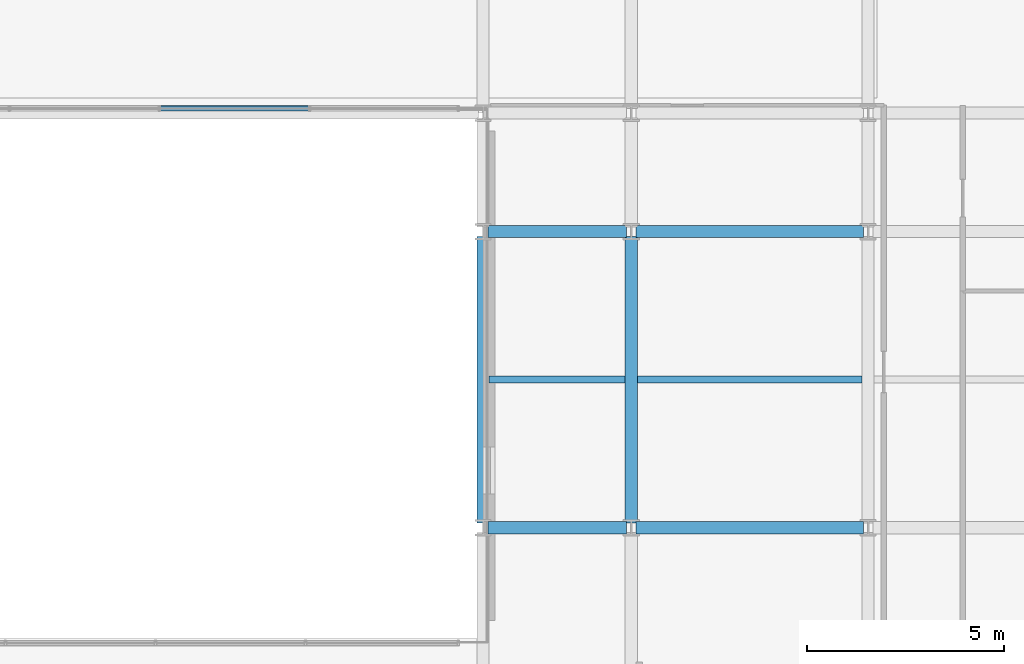
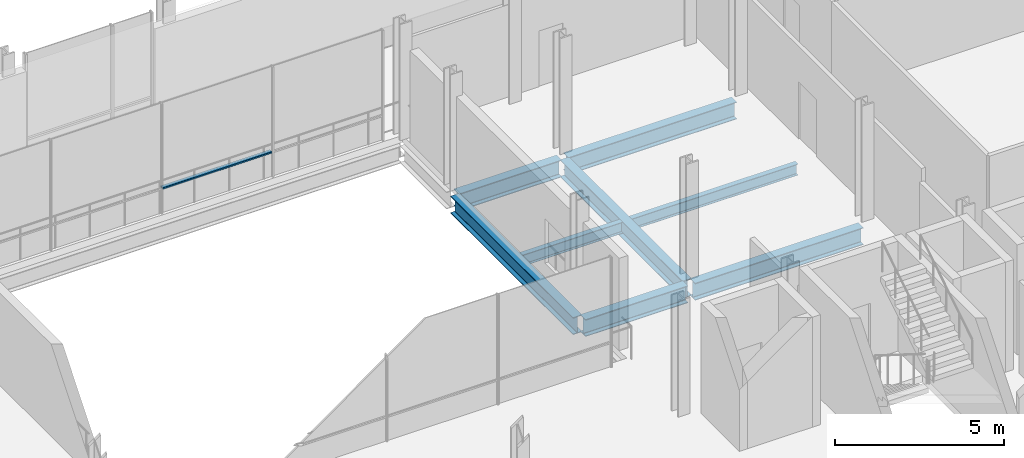
# One storey, part 16 of 32: 8 beams, 1 member, 1 element without a shape of its own.
"""IFC4 building model written with IfcOpenShell, lengths in metres."""

from ifc_helpers import new_model, si_unit, direction, frame, origin, origin_2d, place, context, subcontext, project, spatial, hollow_rectangle, i_section, extrude, material, layer, layer_set, material_profile, profile_set, type_object, element, aggregate, save


model = new_model("IFC4")

# Units and contexts
model_context = context("Model", 3, precision=1e-05, world=origin(), true_north=direction((0.0, 1.0)))
body_context = subcontext(model_context, "Body", "Model", "MODEL_VIEW")
ifc_project = project(units=[si_unit("LENGTHUNIT", "METRE"), si_unit("AREAUNIT", "SQUARE_METRE"), si_unit("VOLUMEUNIT", "CUBIC_METRE"), si_unit("PLANEANGLEUNIT", "RADIAN"), si_unit("MASSUNIT", "GRAM", prefix="KILO")], contexts=[model_context])

# Site, building, storey
site_placement = place(None, origin())
site = spatial("IfcSite", under=ifc_project, at=site_placement, CompositionType="ELEMENT")
building_placement = place(site_placement, origin())
building = spatial("IfcBuilding", under=site, at=building_placement, Name="Brevholm Reach", CompositionType="ELEMENT")
storey_placement = place(building_placement, frame((0.0, 0.0, 134.5)))
storey = spatial("IfcBuildingStorey", under=building, at=storey_placement, Name="L40", CompositionType="ELEMENT", Elevation=134.5)

# Beams
ifc_material_1 = material(Name="Structural Steel S355J2", Category="steel")
ifc_material_profile_1 = material_profile(ifc_material_1, i_section(OverallWidth=0.177978515625, OverallDepth=0.406494140625, WebThickness=0.0078125, FlangeThickness=0.0126953125, FilletRadius=0.01025390625, at=origin_2d()), Name="UKB 406x178x60")
ifc_profile_set_1 = profile_set([ifc_material_profile_1], Name="Structural Steel S355J2")
beam_type_1 = type_object("IfcBeamType", Name="BM-B406", PredefinedType="BEAM", material=ifc_profile_set_1)
beam_1_placement = place(storey_placement, frame((38.403564453125, 19.75, -0.453125), z_axis=(1.0, 0.0, 0.0), x_axis=(0.0, 1.0, 0.0)))
element("IfcBeam", 1, at=beam_1_placement, inside=storey, type_object=beam_type_1, Name="L40 Composite Secondary Floor Beam", PredefinedType="BEAM", context=body_context, shape_type="SweptSolid", body=[
    extrude(i_section(OverallWidth=0.177978515625, OverallDepth=0.406494140625, WebThickness=0.0078125, FlangeThickness=0.0126953125, FilletRadius=0.01025390625, at=origin_2d()), origin(), (0.0, 0.0, 1.0), 3.44287109375),
])
beam_2_placement = place(storey_placement, frame((42.153564453125, 19.75, -0.453125), z_axis=(1.0, 0.0, 0.0), x_axis=(0.0, 1.0, 0.0)))
element("IfcBeam", 2, at=beam_2_placement, inside=storey, type_object=beam_type_1, Name="L40 Composite Secondary Floor Beam", PredefinedType="BEAM", context=body_context, shape_type="SweptSolid", body=[
    extrude(i_section(OverallWidth=0.177978515625, OverallDepth=0.406494140625, WebThickness=0.0078125, FlangeThickness=0.0126953125, FilletRadius=0.01025390625, at=origin_2d()), origin(), (0.0, 0.0, 1.0), 5.69287109375),
])
ifc_material_2 = material(Name="Structural Steel S355J2", Category="steel")
ifc_material_profile_2 = material_profile(ifc_material_2, i_section(OverallWidth=0.30712890625, OverallDepth=0.6201171875, WebThickness=0.01416015625, FlangeThickness=0.023681640625, FilletRadius=0.0166015625, at=origin_2d()), Name="UKB 610x305x179")
ifc_profile_set_2 = profile_set([ifc_material_profile_2], Name="Structural Steel S355J2")
beam_type_2 = type_object("IfcBeamType", Name="BM-UKB610H", PredefinedType="USERDEFINED", material=ifc_profile_set_2)
beam_3_placement = place(storey_placement, frame((38.3701171875, 16.0, -0.56005859375), z_axis=(1.0, 0.0, 0.0), x_axis=(0.0, 1.0, 0.0)))
element("IfcBeam", 3, at=beam_3_placement, inside=storey, type_object=beam_type_2, Name="L40 G-06 Framing Beam", ObjectType="GIRDER", PredefinedType="USERDEFINED", context=body_context, shape_type="SweptSolid", body=[
    extrude(i_section(OverallWidth=0.30712890625, OverallDepth=0.6201171875, WebThickness=0.01416015625, FlangeThickness=0.023681640625, FilletRadius=0.0166015625, at=origin_2d()), origin(), (0.0, 0.0, 1.0), 3.509765625),
])
beam_4_placement = place(storey_placement, frame((42.1201171875, 16.0, -0.56005859375), z_axis=(1.0, 0.0, 0.0), x_axis=(0.0, 1.0, 0.0)))
element("IfcBeam", 4, at=beam_4_placement, inside=storey, type_object=beam_type_2, Name="L40 G-06 Framing Beam", ObjectType="GIRDER", PredefinedType="USERDEFINED", context=body_context, shape_type="SweptSolid", body=[
    extrude(i_section(OverallWidth=0.30712890625, OverallDepth=0.6201171875, WebThickness=0.01416015625, FlangeThickness=0.023681640625, FilletRadius=0.0166015625, at=origin_2d()), origin(), (0.0, 0.0, 1.0), 5.759765625),
])
beam_5_placement = place(storey_placement, frame((38.3701171875, 23.5, -0.56005859375), z_axis=(1.0, 0.0, 0.0), x_axis=(0.0, 1.0, 0.0)))
element("IfcBeam", 5, at=beam_5_placement, inside=storey, type_object=beam_type_2, Name="L40 G-06 Framing Beam", ObjectType="GIRDER", PredefinedType="USERDEFINED", context=body_context, shape_type="SweptSolid", body=[
    extrude(i_section(OverallWidth=0.30712890625, OverallDepth=0.6201171875, WebThickness=0.01416015625, FlangeThickness=0.023681640625, FilletRadius=0.0166015625, at=origin_2d()), origin(), (0.0, 0.0, 1.0), 3.509765625),
])
beam_6_placement = place(storey_placement, frame((42.1201171875, 23.5, -0.56005859375), z_axis=(1.0, 0.0, 0.0), x_axis=(0.0, 1.0, 0.0)))
element("IfcBeam", 6, at=beam_6_placement, inside=storey, type_object=beam_type_2, Name="L40 G-06 Framing Beam", ObjectType="GIRDER", PredefinedType="USERDEFINED", context=body_context, shape_type="SweptSolid", body=[
    extrude(i_section(OverallWidth=0.30712890625, OverallDepth=0.6201171875, WebThickness=0.01416015625, FlangeThickness=0.023681640625, FilletRadius=0.0166015625, at=origin_2d()), origin(), (0.0, 0.0, 1.0), 5.759765625),
])
for number, where, z_axis, x_axis, name in (
    (7, (38.25, 16.1201171875, -0.56005859375), (0.0, 1.0, 0.0), (-1.0, 0.0, 0.0), "L40 G-06 Framing Beam"),
    (8, (42.0, 16.1201171875, -0.56005859375), (0.0, 1.0, 0.0), (-1.0, 0.0, 0.0), "L40 G-06 Framing Beam"),
):
    element("IfcBeam", number, at=place(storey_placement, frame(where, z_axis=z_axis, x_axis=x_axis)), inside=storey, type_object=beam_type_2, Name=name, ObjectType="GIRDER", PredefinedType="USERDEFINED", context=body_context, shape_type="SweptSolid", body=[
        extrude(i_section(OverallWidth=0.30712890625, OverallDepth=0.6201171875, WebThickness=0.01416015625, FlangeThickness=0.023681640625, FilletRadius=0.0166015625, at=origin_2d()), origin(), (0.0, 0.0, 1.0), 7.259765625),
    ])

# Curtain wall, member
ifc_material_3 = material(Name="Dark Anodised Aluminium 6063-T6 and Solar-Control Glass", Category="aluminium")
ifc_layer = layer(ifc_material_3, 0.139892578125)
ifc_layer_set = layer_set([ifc_layer], Name="Dark Anodised Aluminium 6063-T6 and Solar-Control Glass")
curtain_wall_type = type_object("IfcCurtainWallType", Name="CW-02", PredefinedType="NOTDEFINED", material=ifc_layer_set)
curtain_wall_placement = place(storey_placement, origin())
curtain_wall = element("IfcCurtainWall", 9, at=curtain_wall_placement, inside=storey, type_object=curtain_wall_type, Name="L40 Curtain Wall CW-02", PredefinedType="NOTDEFINED")
ifc_material_4 = material(Name="Dark Anodised Aluminium 6063-T6", Category="aluminium")
ifc_material_profile_3 = material_profile(ifc_material_4, hollow_rectangle(XDim=0.06005859375, YDim=0.139892578125, WallThickness=0.0048828125, InnerFilletRadius=0.0048828125, OuterFilletRadius=0.010009765625, at=origin_2d()), Name="RHS 140x60x5")
ifc_profile_set_3 = profile_set([ifc_material_profile_3], Name="Dark Anodised Aluminium 6063-T6")
member_type = type_object("IfcMemberType", Name="CWT-140", PredefinedType="NOTDEFINED", material=ifc_profile_set_3)
member_placement = place(storey_placement, frame((33.820068359375, 26.6201171875, 0.89990234375), z_axis=(-1.0, 0.0, 0.0), x_axis=(0.0, 0.0, 1.0)))
member = element("IfcMember", 10, at=member_placement, type_object=member_type, Name="CT-140 Transom 2.1", ObjectType="TRANSOM", PredefinedType="USERDEFINED", context=body_context, shape_type="SweptSolid", body=[
    extrude(hollow_rectangle(XDim=0.06005859375, YDim=0.139892578125, WallThickness=0.0048828125, InnerFilletRadius=0.0048828125, OuterFilletRadius=0.010009765625, at=origin_2d()), origin(), (0.0, 0.0, 1.0), 3.739990234375),
])
aggregate(curtain_wall, [member])

save(model, "model.ifc")
